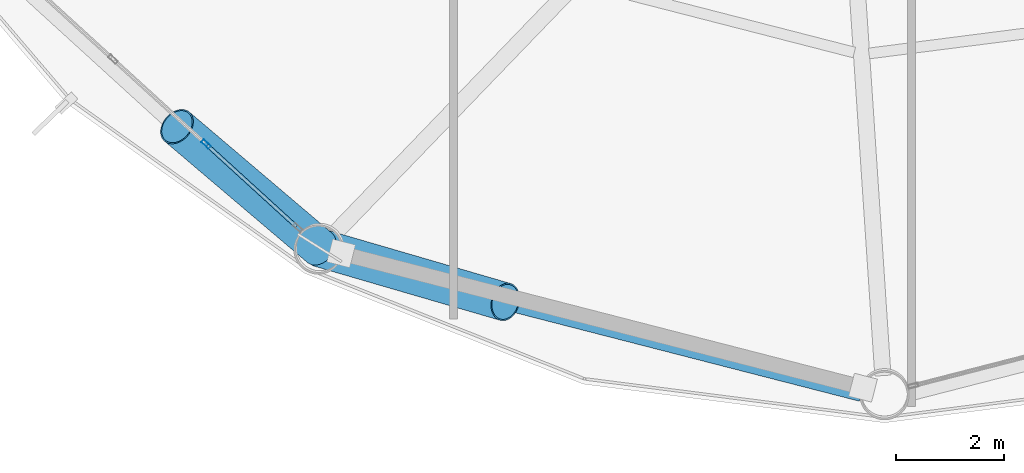
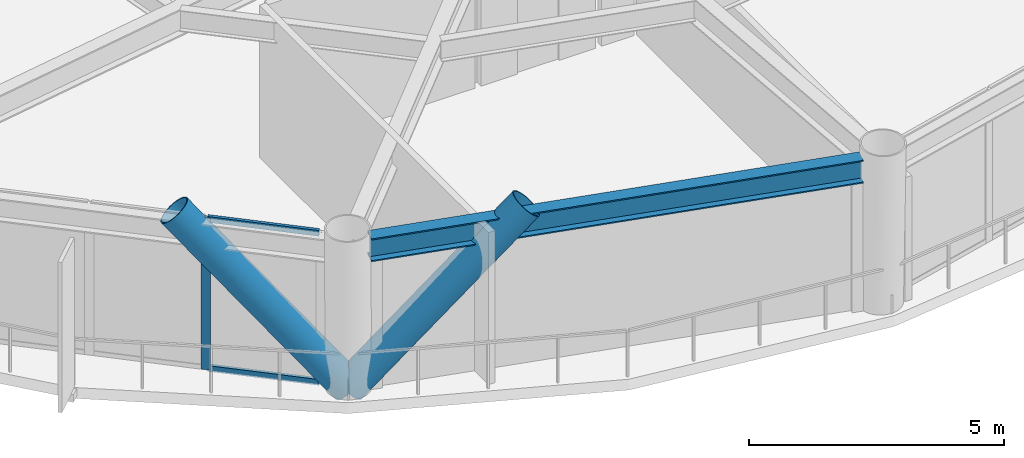
# One storey, part 3 of 26: 5 members, 1 beam, 1 element without a shape of its own.
"""IFC4 building model written with IfcOpenShell, lengths in metres."""

from ifc_helpers import new_model, si_unit, direction, frame, origin, origin_2d, place, context, subcontext, project, spatial, hollow_rectangle, hollow_circle, i_section, extrude, material, layer, layer_set, material_profile, profile_set, type_object, element, aggregate, save


model = new_model("IFC4")

# Units and contexts
model_context = context("Model", 3, precision=1e-05, world=origin(), true_north=direction((0.0, 1.0)))
body_context = subcontext(model_context, "Body", "Model", "MODEL_VIEW")
ifc_project = project(units=[si_unit("LENGTHUNIT", "METRE"), si_unit("AREAUNIT", "SQUARE_METRE"), si_unit("VOLUMEUNIT", "CUBIC_METRE"), si_unit("PLANEANGLEUNIT", "RADIAN"), si_unit("MASSUNIT", "GRAM", prefix="KILO")], contexts=[model_context])

# Site, building, storey
site_placement = place(None, origin())
site = spatial("IfcSite", under=ifc_project, at=site_placement, CompositionType="ELEMENT")
building_placement = place(site_placement, origin())
building = spatial("IfcBuilding", under=site, at=building_placement, Name="Varnakorn Sky Granary", CompositionType="ELEMENT")
storey_placement = place(building_placement, frame((0.0, 0.0, 51.0)))
storey = spatial("IfcBuildingStorey", under=building, at=storey_placement, Name="L12", CompositionType="ELEMENT", Elevation=51.0)

# Beam
ifc_material_1 = material(Name="Steel S355JR", Category="steel")
ifc_material_profile_1 = material_profile(ifc_material_1, i_section(OverallWidth=0.300048828125, OverallDepth=0.550048828125, WebThickness=0.014892578125, FlangeThickness=0.029052734375, at=origin_2d()), Name="HE 550 B")
ifc_profile_set_1 = profile_set([ifc_material_profile_1], Name="Steel S355JR")
beam_type = type_object("IfcBeamType", Name="BM-SPD-Z1", PredefinedType="SPANDREL", material=ifc_profile_set_1)
beam_placement = place(storey_placement, frame((-11.63134765625, -16.78271484375, 3.364990234375), z_axis=(0.968511401947, -0.248969203515, 0.0), x_axis=(0.248969203515, 0.968511401947, 0.0)))
element("IfcBeam", 1, at=beam_placement, inside=storey, type_object=beam_type, Name="Perimeter Spandrel Ring Beam RB09 L12", PredefinedType="SPANDREL", context=body_context, shape_type="SweptSolid", body=[
    extrude(i_section(OverallWidth=0.300048828125, OverallDepth=0.550048828125, WebThickness=0.014892578125, FlangeThickness=0.029052734375, at=origin_2d()), origin(), (0.0, 0.0, 1.0), 10.018798828125),
])

# Curtain wall, members
ifc_material_2 = material(Name="Anodised Bronze Aluminium Alloy 6063-T6", Category="aluminium")
ifc_layer = layer(ifc_material_2, 0.18994140625, Name="Anodised Bronze Aluminium Alloy 6063-T6")
ifc_layer_set = layer_set([ifc_layer], Name="Anodised Bronze Aluminium Alloy 6063-T6")
curtain_wall_type = type_object("IfcCurtainWallType", Name="CW-FRM-1", PredefinedType="USERDEFINED", material=ifc_layer_set)
curtain_wall_placement = place(storey_placement, origin())
curtain_wall = element("IfcCurtainWall", 2, at=curtain_wall_placement, inside=storey, type_object=curtain_wall_type, Name="Unitised Curtain Wall CW3 CW-L12-B08", ObjectType="CURTAIN WALL", PredefinedType="USERDEFINED")
ifc_material_profile_2 = material_profile(ifc_material_2, hollow_rectangle(XDim=0.070068359375, YDim=0.18505859375, WallThickness=0.00390625, at=origin_2d()), Name="ALU MULL 70x185")
ifc_profile_set_2 = profile_set([ifc_material_profile_2], Name="Anodised Bronze Aluminium Alloy 6063-T6")
member_type_1 = type_object("IfcMemberType", Name="CW-FRM-1-MULL", PredefinedType="MULLION", material=ifc_profile_set_2)
member_1_placement = place(storey_placement, frame((-14.0966796875, -14.6484375, 0.0), z_axis=(0.0, 0.0, 1.0), x_axis=(-0.674049155123, -0.73868649404, 0.0)))
member_1 = element("IfcMember", 3, at=member_1_placement, type_object=member_type_1, Name="CW3 mullion 2", PredefinedType="MULLION", context=body_context, shape_type="SweptSolid", body=[
    extrude(hollow_rectangle(XDim=0.070068359375, YDim=0.18505859375, WallThickness=0.00390625, at=origin_2d()), origin(), (0.0, 0.0, 1.0), 3.639892578125),
])
ifc_material_profile_3 = material_profile(ifc_material_2, hollow_rectangle(XDim=0.070068359375, YDim=0.139892578125, WallThickness=0.00341796875, at=origin_2d()), Name="ALU TRAN 70x140")
ifc_profile_set_3 = profile_set([ifc_material_profile_3], Name="Anodised Bronze Aluminium Alloy 6063-T6")
member_type_2 = type_object("IfcMemberType", Name="CW-FRM-1-TRAN", PredefinedType="USERDEFINED", material=ifc_profile_set_3)
member_2_placement = place(storey_placement, frame((-12.420166015625, -16.17822265625, 0.034912109375), z_axis=(-0.738707803791, 0.674025801152, 0.0), x_axis=(-0.674025801152, -0.738707803791, 0.0)))
member_2 = element("IfcMember", 4, at=member_2_placement, type_object=member_type_2, Name="CW3 transom 1.1", ObjectType="TRANSOM", PredefinedType="USERDEFINED", context=body_context, shape_type="SweptSolid", body=[
    extrude(hollow_rectangle(XDim=0.070068359375, YDim=0.139892578125, WallThickness=0.00341796875, at=origin_2d()), origin(), (0.0, 0.0, 1.0), 2.234375),
])
member_3_placement = place(storey_placement, frame((-12.420166015625, -16.17822265625, 3.60498046875), z_axis=(-0.738707803791, 0.674025801152, 0.0), x_axis=(-0.674025801152, -0.738707803791, 0.0)))
member_3 = element("IfcMember", 5, at=member_3_placement, type_object=member_type_2, Name="CW3 transom 1.2", ObjectType="TRANSOM", PredefinedType="USERDEFINED", context=body_context, shape_type="SweptSolid", body=[
    extrude(hollow_rectangle(XDim=0.070068359375, YDim=0.139892578125, WallThickness=0.00341796875, at=origin_2d()), origin(), (0.0, 0.0, 1.0), 2.234375),
])
aggregate(curtain_wall, [member_1, member_2, member_3])

# Members
ifc_material_3 = material(Name="Steel S460M", Category="steel")
ifc_material_profile_4 = material_profile(ifc_material_3, hollow_circle(Radius=0.35546875, WallThickness=0.02490234375, at=origin_2d()), Name="CHS 711x25")
ifc_profile_set_4 = profile_set([ifc_material_profile_4], Name="Steel S460M")
member_type_3 = type_object("IfcMemberType", Name="MB-DIAG-T0", PredefinedType="BRACE", material=ifc_profile_set_4)
member_4_placement = place(storey_placement, frame((-11.986572265625, -16.573974609375, 0.0), z_axis=(-0.515214202308, 0.437549921927, 0.736956166648), x_axis=(-0.647320139144, -0.762218234798, 0.0)))
element("IfcMember", 6, at=member_4_placement, inside=storey, type_object=member_type_3, Name="Perimeter CHS Diagrid Brace DG08 L12", PredefinedType="BRACE", context=body_context, shape_type="SweptSolid", body=[
    extrude(hollow_circle(Radius=0.35546875, WallThickness=0.02490234375, at=origin_2d()), origin(), (0.0, 0.0, 1.0), 5.142822265625),
])
member_5_placement = place(storey_placement, frame((-11.986572265625, -16.573974609375, 0.0), z_axis=(0.660264400356, -0.192214668187, 0.726019588549), x_axis=(0.279514221487, 0.960141552057, 0.0)))
element("IfcMember", 7, at=member_5_placement, inside=storey, type_object=member_type_3, Name="Perimeter CHS Diagrid Brace DG09 L12", PredefinedType="BRACE", context=body_context, shape_type="SweptSolid", body=[
    extrude(hollow_circle(Radius=0.35546875, WallThickness=0.02490234375, at=origin_2d()), origin(), (0.0, 0.0, 1.0), 5.22021484375),
])

save(model, "model.ifc")
